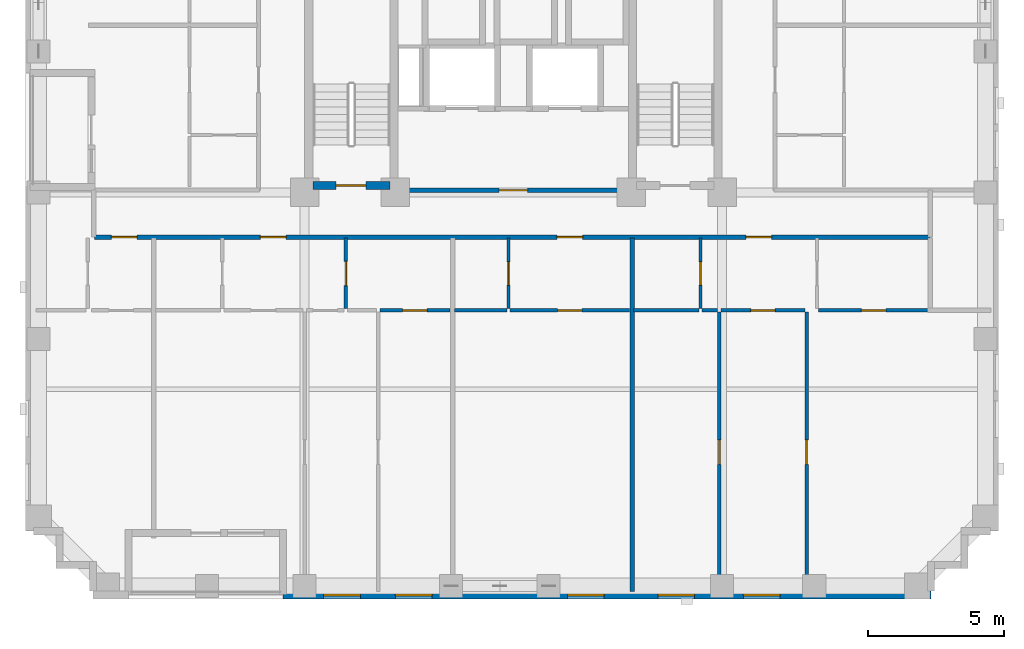
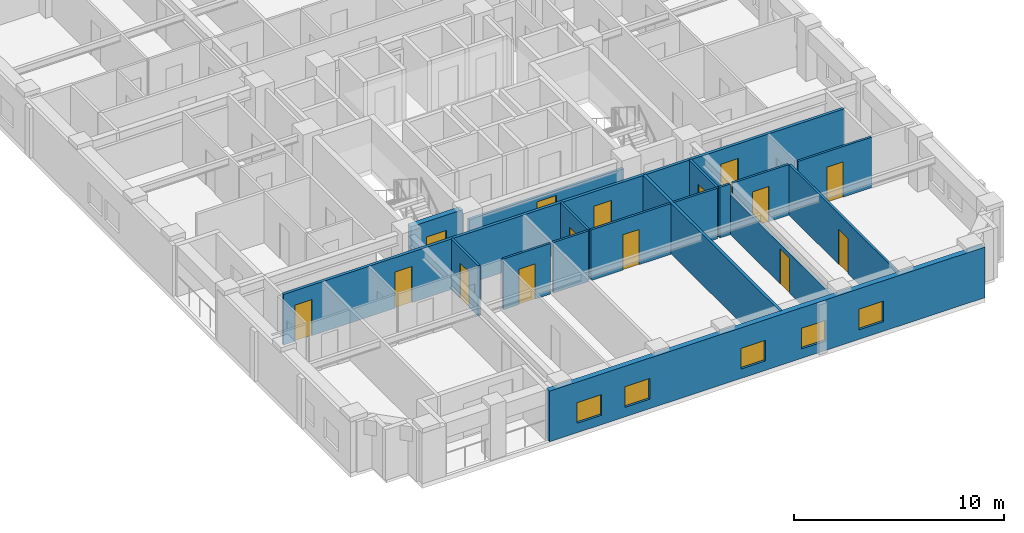
# One storey, part 3 of 12: 17 walls, 15 doors, 5 windows, 20 openings.
"""IFC4 building model written with IfcOpenShell, lengths in metres."""

from ifc_helpers import new_model, si_unit, derived_unit, direction, frame, frame_2d, origin, place, context, subcontext, project, spatial, rectangle, extrude, material, layer, layer_set, type_object, element, fill, save


model = new_model("IFC4")

# Units and contexts
model_context = context("Model", 3, precision=1e-05, world=origin(), true_north=direction((0.0, 1.0)))
body_context = subcontext(model_context, "Body", "Model", "MODEL_VIEW")
ifc_project = project(units=[si_unit("LENGTHUNIT", "METRE"), si_unit("AREAUNIT", "SQUARE_METRE"), si_unit("VOLUMEUNIT", "CUBIC_METRE"), si_unit("PLANEANGLEUNIT", "RADIAN"), si_unit("MASSUNIT", "GRAM", prefix="KILO"), derived_unit("THERMALTRANSMITTANCEUNIT", [(si_unit("MASSUNIT", "GRAM", prefix="KILO"), 1), (si_unit("TIMEUNIT", "SECOND"), -3), (si_unit("THERMODYNAMICTEMPERATUREUNIT", "KELVIN"), -1)])], contexts=[model_context])

# Site, building, storey
site_placement = place(None, origin())
site = spatial("IfcSite", under=ifc_project, at=site_placement, CompositionType="ELEMENT")
building_placement = place(site_placement, origin())
building = spatial("IfcBuilding", under=site, at=building_placement, Name="Korrvale Station Residences", CompositionType="ELEMENT")
storey_placement = place(building_placement, frame((0.0, 0.0, 91.10009765625)))
storey = spatial("IfcBuildingStorey", under=building, at=storey_placement, Name="L25", CompositionType="ELEMENT", Elevation=91.10009765625)

# Wall, opening, door
ifc_material_1 = material(Name="Concrete C60/75", Category="concrete")
ifc_layer_1 = layer(ifc_material_1, 0.300048828125, Name="Concrete C60/75")
ifc_layer_set_1 = layer_set([ifc_layer_1], Name="Concrete C60/75")
wall_type_1 = type_object("IfcWallType", Name="WAL-CORE-300-C60", PredefinedType="SHEAR", material=ifc_layer_set_1)
wall_1_placement = place(storey_placement, frame((18.10009765625, 15.25, 0.0), z_axis=(0.0, 0.0, 1.0), x_axis=(1.0, 0.0, 0.0)))
wall_1 = element("IfcWall", 1, at=wall_1_placement, inside=storey, type_object=wall_type_1, Name="L25 ST-1 Core Shear Wall South", PredefinedType="SHEAR", context=body_context, shape_type="SweptSolid", body=[
    extrude(rectangle(XDim=2.849853515625, YDim=0.300048828125, at=frame_2d((1.4248046875, 0.0))), origin(), (0.0, 0.0, 1.0), 2.93994140625),
])
opening_1_placement = place(wall_1_placement, frame((0.860107421875, 0.0, 0.0)))
opening_1 = element("IfcOpeningElement", 2, at=opening_1_placement, cuts=wall_1, Name="Opening SD-1100", PredefinedType="OPENING", context=body_context, shape_type="SweptSolid", body=[
    extrude(rectangle(XDim=1.10009765625, YDim=2.050048828125, at=frame_2d((0.550048828125, 1.02490234375))), frame((0.0, 0.16015625, 0.0), z_axis=(0.0, -1.0, 0.0), x_axis=(1.0, 0.0, 0.0)), (0.0, 0.0, 1.0), 0.320068359375),
])
ifc_material_2 = material(Name="Hollow-metal fire-rated stair door with closer", Category="steel")
door_type_1 = type_object("IfcDoorType", Name="DR-STAIR-1100", OperationType="NOTDEFINED", PredefinedType="DOOR", material=ifc_material_2)
door_1_placement = place(opening_1_placement, origin())
door_1 = element("IfcDoor", 3, at=door_1_placement, inside=storey, type_object=door_type_1, Name="L25 ST-1 Exit Stair Door", OperationType="SINGLE_SWING_LEFT", OverallHeight=2.050048828125, OverallWidth=1.10009765625, PredefinedType="DOOR", context=body_context, shape_type="SweptSolid", body=[
    extrude(rectangle(XDim=1.10009765625, YDim=2.050048828125, at=frame_2d((0.550048828125, 1.02490234375))), frame((0.0, 0.02490234375, 0.0), z_axis=(0.0, -1.0, 0.0), x_axis=(1.0, 0.0, 0.0)), (0.0, 0.0, 1.0), 0.050048828125),
])
fill(opening_1, door_1)

# Wall, openings, windows
ifc_material_3 = material(Name="Precast concrete C45/55", Category="concrete")
ifc_layer_2 = layer(ifc_material_3, 0.300048828125, Name="Precast concrete C45/55")
ifc_layer_set_2 = layer_set([ifc_layer_2], Name="Precast concrete C45/55")
wall_type_2 = type_object("IfcWallType", Name="WAL-EXT-PC300", PredefinedType="SOLIDWALL", material=ifc_layer_set_2)
wall_2_placement = place(storey_placement, frame((40.89990234375, 0.14990234375, 0.0), z_axis=(0.0, 0.0, 1.0), x_axis=(-1.0, 0.0, 0.0)))
wall_2 = element("IfcWall", 4, at=wall_2_placement, inside=storey, type_object=wall_type_2, Name="L25 South Exterior Precast Wall 1", PredefinedType="SOLIDWALL", context=body_context, shape_type="SweptSolid", body=[
    extrude(rectangle(XDim=23.89990234375, YDim=0.300048828125, at=frame_2d((11.949951171875, 0.0))), origin(), (0.0, 0.0, 1.0), 2.93994140625),
])
opening_2_placement = place(wall_2_placement, frame((21.044921875, 0.0, 0.550048828125)))
opening_2 = element("IfcOpeningElement", 5, at=opening_2_placement, cuts=wall_2, Name="Opening W-10", PredefinedType="OPENING", context=body_context, shape_type="SweptSolid", body=[
    extrude(rectangle(XDim=1.35009765625, YDim=1.199951171875, at=frame_2d((0.675048828125, 0.60009765625))), frame((0.0, 0.16015625, 0.0), z_axis=(0.0, -1.0, 0.0), x_axis=(1.0, 0.0, 0.0)), (0.0, 0.0, 1.0), 0.320068359375),
])
opening_3_placement = place(wall_2_placement, frame((18.39990234375, 0.0, 0.550048828125)))
opening_3 = element("IfcOpeningElement", 6, at=opening_3_placement, cuts=wall_2, Name="Opening W-10", PredefinedType="OPENING", context=body_context, shape_type="SweptSolid", body=[
    extrude(rectangle(XDim=1.35009765625, YDim=1.199951171875, at=frame_2d((0.675048828125, 0.60009765625))), frame((0.0, 0.16015625, 0.0), z_axis=(0.0, -1.0, 0.0), x_axis=(1.0, 0.0, 0.0)), (0.0, 0.0, 1.0), 0.320068359375),
])
opening_4_placement = place(wall_2_placement, frame((12.050048828125, 0.0, 0.550048828125)))
opening_4 = element("IfcOpeningElement", 7, at=opening_4_placement, cuts=wall_2, Name="Opening W-10", PredefinedType="OPENING", context=body_context, shape_type="SweptSolid", body=[
    extrude(rectangle(XDim=1.35009765625, YDim=1.199951171875, at=frame_2d((0.675048828125, 0.60009765625))), frame((0.0, 0.16015625, 0.0), z_axis=(0.0, -1.0, 0.0), x_axis=(1.0, 0.0, 0.0)), (0.0, 0.0, 1.0), 0.320068359375),
])
opening_5_placement = place(wall_2_placement, frame((8.719970703125, 0.0, 0.550048828125)))
opening_5 = element("IfcOpeningElement", 8, at=opening_5_placement, cuts=wall_2, Name="Opening W-10", PredefinedType="OPENING", context=body_context, shape_type="SweptSolid", body=[
    extrude(rectangle(XDim=1.35009765625, YDim=1.199951171875, at=frame_2d((0.675048828125, 0.60009765625))), frame((0.0, 0.16015625, 0.0), z_axis=(0.0, -1.0, 0.0), x_axis=(1.0, 0.0, 0.0)), (0.0, 0.0, 1.0), 0.320068359375),
])
opening_6_placement = place(wall_2_placement, frame((5.56298828125, 0.0, 0.550048828125)))
opening_6 = element("IfcOpeningElement", 9, at=opening_6_placement, cuts=wall_2, Name="Opening W-10", PredefinedType="OPENING", context=body_context, shape_type="SweptSolid", body=[
    extrude(rectangle(XDim=1.35009765625, YDim=1.199951171875, at=frame_2d((0.675048828125, 0.60009765625))), frame((0.0, 0.16015625, 0.0), z_axis=(0.0, -1.0, 0.0), x_axis=(1.0, 0.0, 0.0)), (0.0, 0.0, 1.0), 0.320068359375),
])
ifc_material_4 = material(Name="Thermally broken aluminium frame with triple low-e glazing", Category="aluminium")
window_type = type_object("IfcWindowType", Name="WIN-W10", PartitioningType="SINGLE_PANEL", PredefinedType="WINDOW", material=ifc_material_4)
window_1_placement = place(opening_2_placement, origin())
window_1 = element("IfcWindow", 10, at=window_1_placement, inside=storey, type_object=window_type, Name="L25 Punched Window 04", OverallHeight=1.199951171875, OverallWidth=1.35009765625, PartitioningType="SINGLE_PANEL", PredefinedType="WINDOW", context=body_context, shape_type="SweptSolid", body=[
    extrude(rectangle(XDim=1.35009765625, YDim=1.199951171875, at=frame_2d((0.675048828125, 0.60009765625))), frame((0.0, 0.030029296875, 0.0), z_axis=(0.0, -1.0, 0.0), x_axis=(1.0, 0.0, 0.0)), (0.0, 0.0, 1.0), 0.06005859375),
])
fill(opening_2, window_1)
window_2_placement = place(opening_3_placement, origin())
window_2 = element("IfcWindow", 11, at=window_2_placement, inside=storey, type_object=window_type, Name="L25 Punched Window 05", OverallHeight=1.199951171875, OverallWidth=1.35009765625, PartitioningType="SINGLE_PANEL", PredefinedType="WINDOW", context=body_context, shape_type="SweptSolid", body=[
    extrude(rectangle(XDim=1.35009765625, YDim=1.199951171875, at=frame_2d((0.675048828125, 0.60009765625))), frame((0.0, 0.030029296875, 0.0), z_axis=(0.0, -1.0, 0.0), x_axis=(1.0, 0.0, 0.0)), (0.0, 0.0, 1.0), 0.06005859375),
])
fill(opening_3, window_2)
window_3_placement = place(opening_4_placement, origin())
window_3 = element("IfcWindow", 12, at=window_3_placement, inside=storey, type_object=window_type, Name="L25 Punched Window 06", OverallHeight=1.199951171875, OverallWidth=1.35009765625, PartitioningType="SINGLE_PANEL", PredefinedType="WINDOW", context=body_context, shape_type="SweptSolid", body=[
    extrude(rectangle(XDim=1.35009765625, YDim=1.199951171875, at=frame_2d((0.675048828125, 0.60009765625))), frame((0.0, 0.030029296875, 0.0), z_axis=(0.0, -1.0, 0.0), x_axis=(1.0, 0.0, 0.0)), (0.0, 0.0, 1.0), 0.06005859375),
])
fill(opening_4, window_3)
window_4_placement = place(opening_5_placement, origin())
window_4 = element("IfcWindow", 13, at=window_4_placement, inside=storey, type_object=window_type, Name="L25 Punched Window 07", OverallHeight=1.199951171875, OverallWidth=1.35009765625, PartitioningType="SINGLE_PANEL", PredefinedType="WINDOW", context=body_context, shape_type="SweptSolid", body=[
    extrude(rectangle(XDim=1.35009765625, YDim=1.199951171875, at=frame_2d((0.675048828125, 0.60009765625))), frame((0.0, 0.030029296875, 0.0), z_axis=(0.0, -1.0, 0.0), x_axis=(1.0, 0.0, 0.0)), (0.0, 0.0, 1.0), 0.06005859375),
])
fill(opening_5, window_4)
window_5_placement = place(opening_6_placement, origin())
window_5 = element("IfcWindow", 14, at=window_5_placement, inside=storey, type_object=window_type, Name="L25 Punched Window 08", OverallHeight=1.199951171875, OverallWidth=1.35009765625, PartitioningType="SINGLE_PANEL", PredefinedType="WINDOW", context=body_context, shape_type="SweptSolid", body=[
    extrude(rectangle(XDim=1.35009765625, YDim=1.199951171875, at=frame_2d((0.675048828125, 0.60009765625))), frame((0.0, 0.030029296875, 0.0), z_axis=(0.0, -1.0, 0.0), x_axis=(1.0, 0.0, 0.0)), (0.0, 0.0, 1.0), 0.06005859375),
])
fill(opening_6, window_5)

# Wall, opening, door
ifc_material_5 = material(Name="Acoustic steel-stud gypsum board partition", Category="steel")
ifc_layer_3 = layer(ifc_material_5, 0.1201171875, Name="Acoustic steel-stud gypsum board partition")
ifc_layer_set_3 = layer_set([ifc_layer_3], Name="Acoustic steel-stud gypsum board partition")
wall_type_3 = type_object("IfcWallType", Name="WAL-PART-125", PredefinedType="PARTITIONING", material=ifc_layer_set_3)
wall_3_placement = place(storey_placement, frame((19.320068359375, 10.7099609375, 0.0), z_axis=(0.0, 0.0, 1.0), x_axis=(0.0, 1.0, 0.0)))
wall_3 = element("IfcWall", 15, at=wall_3_placement, inside=storey, type_object=wall_type_3, Name="L25 Suite Partition U02-V12", PredefinedType="PARTITIONING", context=body_context, shape_type="SweptSolid", body=[
    extrude(rectangle(XDim=2.60009765625, YDim=0.1201171875, at=frame_2d((1.300048828125, 0.0))), origin(), (0.0, 0.0, 1.0), 2.93994140625),
])
opening_7_placement = place(wall_3_placement, frame((0.85009765625, 0.0, 0.0)))
opening_7 = element("IfcOpeningElement", 16, at=opening_7_placement, cuts=wall_3, Name="Opening DI-900", PredefinedType="OPENING", context=body_context, shape_type="SweptSolid", body=[
    extrude(rectangle(XDim=0.89990234375, YDim=2.050048828125, at=frame_2d((0.449951171875, 1.02490234375))), frame((0.0, 0.070068359375, 0.0), z_axis=(0.0, -1.0, 0.0), x_axis=(1.0, 0.0, 0.0)), (0.0, 0.0, 1.0), 0.14013671875),
])
ifc_material_6 = material(Name="Painted solid-core timber interior room door", Category="wood")
door_type_2 = type_object("IfcDoorType", Name="DR-INT-900", OperationType="NOTDEFINED", PredefinedType="DOOR", material=ifc_material_6)
door_2_placement = place(opening_7_placement, origin())
door_2 = element("IfcDoor", 17, at=door_2_placement, inside=storey, type_object=door_type_2, Name="L25 Apartment 2BR L25-U02 Kitchen Door", OperationType="SINGLE_SWING_LEFT", OverallHeight=2.050048828125, OverallWidth=0.89990234375, PredefinedType="DOOR", context=body_context, shape_type="SweptSolid", body=[
    extrude(rectangle(XDim=0.89990234375, YDim=2.050048828125, at=frame_2d((0.449951171875, 1.02490234375))), frame((0.0, 0.02490234375, 0.0), z_axis=(0.0, -1.0, 0.0), x_axis=(1.0, 0.0, 0.0)), (0.0, 0.0, 1.0), 0.050048828125),
])
fill(opening_7, door_2)

wall_4_placement = place(storey_placement, frame((20.572998046875, 10.64990234375, 0.0), z_axis=(0.0, 0.0, 1.0), x_axis=(1.0, 0.0, 0.0)))
wall_4 = element("IfcWall", 18, at=wall_4_placement, inside=storey, type_object=wall_type_3, Name="L25 Suite Partition U02-H25", PredefinedType="PARTITIONING", context=body_context, shape_type="SweptSolid", body=[
    extrude(rectangle(XDim=2.592041015625, YDim=0.1201171875, at=frame_2d((1.2958984375, 0.0))), origin(), (0.0, 0.0, 1.0), 2.93994140625),
])
opening_8_placement = place(wall_4_placement, frame((0.845947265625, 0.0, 0.0)))
opening_8 = element("IfcOpeningElement", 19, at=opening_8_placement, cuts=wall_4, Name="Opening DI-900", PredefinedType="OPENING", context=body_context, shape_type="SweptSolid", body=[
    extrude(rectangle(XDim=0.89990234375, YDim=2.050048828125, at=frame_2d((0.449951171875, 1.02490234375))), frame((0.0, 0.070068359375, 0.0), z_axis=(0.0, -1.0, 0.0), x_axis=(1.0, 0.0, 0.0)), (0.0, 0.0, 1.0), 0.14013671875),
])
door_3_placement = place(opening_8_placement, origin())
door_3 = element("IfcDoor", 20, at=door_3_placement, inside=storey, type_object=door_type_2, Name="L25 Apartment 2BR L25-U02 Home Study Room Door", OperationType="SINGLE_SWING_RIGHT", OverallHeight=2.050048828125, OverallWidth=0.89990234375, PredefinedType="DOOR", context=body_context, shape_type="SweptSolid", body=[
    extrude(rectangle(XDim=0.89990234375, YDim=2.050048828125, at=frame_2d((0.449951171875, 1.02490234375))), frame((0.0, 0.02490234375, 0.0), z_axis=(0.0, -1.0, 0.0), x_axis=(1.0, 0.0, 0.0)), (0.0, 0.0, 1.0), 0.050048828125),
])
fill(opening_8, door_3)

wall_5_placement = place(storey_placement, frame((25.322021484375, 10.7099609375, 0.0), z_axis=(0.0, 0.0, 1.0), x_axis=(0.0, 1.0, 0.0)))
wall_5 = element("IfcWall", 21, at=wall_5_placement, inside=storey, type_object=wall_type_3, Name="L25 Suite Partition U03-V01", PredefinedType="PARTITIONING", context=body_context, shape_type="SweptSolid", body=[
    extrude(rectangle(XDim=2.60009765625, YDim=0.1201171875, at=frame_2d((1.300048828125, 0.0))), origin(), (0.0, 0.0, 1.0), 2.93994140625),
])
opening_9_placement = place(wall_5_placement, frame((0.8701171875, 0.0, 0.0)))
opening_9 = element("IfcOpeningElement", 22, at=opening_9_placement, cuts=wall_5, Name="Opening DB-860", PredefinedType="OPENING", context=body_context, shape_type="SweptSolid", body=[
    extrude(rectangle(XDim=0.860107421875, YDim=2.050048828125, at=frame_2d((0.43017578125, 1.02490234375))), frame((0.0, 0.070068359375, 0.0), z_axis=(0.0, -1.0, 0.0), x_axis=(1.0, 0.0, 0.0)), (0.0, 0.0, 1.0), 0.14013671875),
])
ifc_material_7 = material(Name="Moisture-resistant solid-core bathroom door", Category="timber")
door_type_3 = type_object("IfcDoorType", Name="DR-BATH-860", OperationType="NOTDEFINED", PredefinedType="DOOR", material=ifc_material_7)
door_4_placement = place(opening_9_placement, origin())
door_4 = element("IfcDoor", 23, at=door_4_placement, inside=storey, type_object=door_type_3, Name="L25 Studio Apartment L25-U03 Bathroom Door", OperationType="SINGLE_SWING_LEFT", OverallHeight=2.050048828125, OverallWidth=0.860107421875, PredefinedType="DOOR", context=body_context, shape_type="SweptSolid", body=[
    extrude(rectangle(XDim=0.860107421875, YDim=2.050048828125, at=frame_2d((0.43017578125, 1.02490234375))), frame((0.0, 0.02490234375, 0.0), z_axis=(0.0, -1.0, 0.0), x_axis=(1.0, 0.0, 0.0)), (0.0, 0.0, 1.0), 0.050048828125),
])
fill(opening_9, door_4)

# Wall
wall_6_placement = place(storey_placement, frame((23.324951171875, 10.64990234375, 0.0), z_axis=(0.0, 0.0, 1.0), x_axis=(1.0, 0.0, 0.0)))
element("IfcWall", 24, at=wall_6_placement, inside=storey, type_object=wall_type_3, Name="L25 Suite Partition U03-H02", PredefinedType="PARTITIONING", context=body_context, shape_type="SweptSolid", body=[
    extrude(rectangle(XDim=1.93701171875, YDim=0.1201171875, at=frame_2d((0.968505859375, 0.0))), origin(), (0.0, 0.0, 1.0), 2.93994140625),
])

# Wall, opening, door
wall_7_placement = place(storey_placement, frame((25.382080078125, 10.64990234375, 0.0), z_axis=(0.0, 0.0, 1.0), x_axis=(1.0, 0.0, 0.0)))
wall_7 = element("IfcWall", 25, at=wall_7_placement, inside=storey, type_object=wall_type_3, Name="L25 Suite Partition U03-H12", PredefinedType="PARTITIONING", context=body_context, shape_type="SweptSolid", body=[
    extrude(rectangle(XDim=4.39794921875, YDim=0.1201171875, at=frame_2d((2.198974609375, 0.0))), origin(), (0.0, 0.0, 1.0), 2.93994140625),
])
opening_10_placement = place(wall_7_placement, frame((1.7490234375, 0.0, 0.0)))
opening_10 = element("IfcOpeningElement", 26, at=opening_10_placement, cuts=wall_7, Name="Opening DI-900", PredefinedType="OPENING", context=body_context, shape_type="SweptSolid", body=[
    extrude(rectangle(XDim=0.89990234375, YDim=2.050048828125, at=frame_2d((0.449951171875, 1.02490234375))), frame((0.0, 0.070068359375, 0.0), z_axis=(0.0, -1.0, 0.0), x_axis=(1.0, 0.0, 0.0)), (0.0, 0.0, 1.0), 0.14013671875),
])
door_5_placement = place(opening_10_placement, origin())
door_5 = element("IfcDoor", 27, at=door_5_placement, inside=storey, type_object=door_type_2, Name="L25 Studio Apartment L25-U03 Kitchen Door", OperationType="SINGLE_SWING_RIGHT", OverallHeight=2.050048828125, OverallWidth=0.89990234375, PredefinedType="DOOR", context=body_context, shape_type="SweptSolid", body=[
    extrude(rectangle(XDim=0.89990234375, YDim=2.050048828125, at=frame_2d((0.449951171875, 1.02490234375))), frame((0.0, 0.02490234375, 0.0), z_axis=(0.0, -1.0, 0.0), x_axis=(1.0, 0.0, 0.0)), (0.0, 0.0, 1.0), 0.050048828125),
])
fill(opening_10, door_5)

wall_8_placement = place(storey_placement, frame((32.39990234375, 10.7099609375, 0.0), z_axis=(0.0, 0.0, 1.0), x_axis=(0.0, 1.0, 0.0)))
wall_8 = element("IfcWall", 28, at=wall_8_placement, inside=storey, type_object=wall_type_3, Name="L25 Suite Partition U04-V01", PredefinedType="PARTITIONING", context=body_context, shape_type="SweptSolid", body=[
    extrude(rectangle(XDim=2.60009765625, YDim=0.1201171875, at=frame_2d((1.300048828125, 0.0))), origin(), (0.0, 0.0, 1.0), 2.93994140625),
])
opening_11_placement = place(wall_8_placement, frame((0.8701171875, 0.0, 0.0)))
opening_11 = element("IfcOpeningElement", 29, at=opening_11_placement, cuts=wall_8, Name="Opening DB-860", PredefinedType="OPENING", context=body_context, shape_type="SweptSolid", body=[
    extrude(rectangle(XDim=0.860107421875, YDim=2.050048828125, at=frame_2d((0.43017578125, 1.02490234375))), frame((0.0, 0.070068359375, 0.0), z_axis=(0.0, -1.0, 0.0), x_axis=(1.0, 0.0, 0.0)), (0.0, 0.0, 1.0), 0.14013671875),
])
door_6_placement = place(opening_11_placement, origin())
door_6 = element("IfcDoor", 30, at=door_6_placement, inside=storey, type_object=door_type_3, Name="L25 Studio Apartment L25-U04 Bathroom Door", OperationType="SINGLE_SWING_LEFT", OverallHeight=2.050048828125, OverallWidth=0.860107421875, PredefinedType="DOOR", context=body_context, shape_type="SweptSolid", body=[
    extrude(rectangle(XDim=0.860107421875, YDim=2.050048828125, at=frame_2d((0.43017578125, 1.02490234375))), frame((0.0, 0.02490234375, 0.0), z_axis=(0.0, -1.0, 0.0), x_axis=(1.0, 0.0, 0.0)), (0.0, 0.0, 1.0), 0.050048828125),
])
fill(opening_11, door_6)

# Walls
wall_9_placement = place(storey_placement, frame((29.93994140625, 10.64990234375, 0.0), z_axis=(0.0, 0.0, 1.0), x_axis=(1.0, 0.0, 0.0)))
element("IfcWall", 31, at=wall_9_placement, inside=storey, type_object=wall_type_3, Name="L25 Suite Partition U04-H03", PredefinedType="PARTITIONING", context=body_context, shape_type="SweptSolid", body=[
    extrude(rectangle(XDim=2.400146484375, YDim=0.1201171875, at=frame_2d((1.2001953125, 0.0))), origin(), (0.0, 0.0, 1.0), 2.93994140625),
])
wall_10_placement = place(storey_placement, frame((32.4599609375, 10.64990234375, 0.0), z_axis=(0.0, 0.0, 1.0), x_axis=(1.0, 0.0, 0.0)))
element("IfcWall", 32, at=wall_10_placement, inside=storey, type_object=wall_type_3, Name="L25 Suite Partition U04-H13", PredefinedType="PARTITIONING", context=body_context, shape_type="SweptSolid", body=[
    extrude(rectangle(XDim=0.580078125, YDim=0.1201171875, at=frame_2d((0.2900390625, 0.0))), origin(), (0.0, 0.0, 1.0), 2.93994140625),
])

# Wall, opening, door
wall_11_placement = place(storey_placement, frame((33.159912109375, 10.64990234375, 0.0), z_axis=(0.0, 0.0, 1.0), x_axis=(1.0, 0.0, 0.0)))
wall_11 = element("IfcWall", 33, at=wall_11_placement, inside=storey, type_object=wall_type_3, Name="L25 Suite Partition U04-H14", PredefinedType="PARTITIONING", context=body_context, shape_type="SweptSolid", body=[
    extrude(rectangle(XDim=3.10009765625, YDim=0.1201171875, at=frame_2d((1.550048828125, 0.0))), origin(), (0.0, 0.0, 1.0), 2.93994140625),
])
opening_12_placement = place(wall_11_placement, frame((1.10009765625, 0.0, 0.0)))
opening_12 = element("IfcOpeningElement", 34, at=opening_12_placement, cuts=wall_11, Name="Opening DI-900", PredefinedType="OPENING", context=body_context, shape_type="SweptSolid", body=[
    extrude(rectangle(XDim=0.89990234375, YDim=2.050048828125, at=frame_2d((0.449951171875, 1.02490234375))), frame((0.0, 0.070068359375, 0.0), z_axis=(0.0, -1.0, 0.0), x_axis=(1.0, 0.0, 0.0)), (0.0, 0.0, 1.0), 0.14013671875),
])
door_7_placement = place(opening_12_placement, origin())
door_7 = element("IfcDoor", 35, at=door_7_placement, inside=storey, type_object=door_type_2, Name="L25 Studio Apartment L25-U04 Kitchen Door", OperationType="SINGLE_SWING_LEFT", OverallHeight=2.050048828125, OverallWidth=0.89990234375, PredefinedType="DOOR", context=body_context, shape_type="SweptSolid", body=[
    extrude(rectangle(XDim=0.89990234375, YDim=2.050048828125, at=frame_2d((0.449951171875, 1.02490234375))), frame((0.0, 0.02490234375, 0.0), z_axis=(0.0, -1.0, 0.0), x_axis=(1.0, 0.0, 0.0)), (0.0, 0.0, 1.0), 0.050048828125),
])
fill(opening_12, door_7)

wall_12_placement = place(storey_placement, frame((36.760009765625, 10.64990234375, 0.0), z_axis=(0.0, 0.0, 1.0), x_axis=(1.0, 0.0, 0.0)))
wall_12 = element("IfcWall", 36, at=wall_12_placement, inside=storey, type_object=wall_type_3, Name="L25 Suite Partition U04-H25", PredefinedType="PARTITIONING", context=body_context, shape_type="SweptSolid", body=[
    extrude(rectangle(XDim=4.06005859375, YDim=0.1201171875, at=frame_2d((2.030029296875, 0.0))), origin(), (0.0, 0.0, 1.0), 2.93994140625),
])
opening_13_placement = place(wall_12_placement, frame((1.580078125, 0.0, 0.0)))
opening_13 = element("IfcOpeningElement", 37, at=opening_13_placement, cuts=wall_12, Name="Opening DI-900", PredefinedType="OPENING", context=body_context, shape_type="SweptSolid", body=[
    extrude(rectangle(XDim=0.89990234375, YDim=2.050048828125, at=frame_2d((0.449951171875, 1.02490234375))), frame((0.0, 0.070068359375, 0.0), z_axis=(0.0, -1.0, 0.0), x_axis=(1.0, 0.0, 0.0)), (0.0, 0.0, 1.0), 0.14013671875),
])
door_8_placement = place(opening_13_placement, origin())
door_8 = element("IfcDoor", 38, at=door_8_placement, inside=storey, type_object=door_type_2, Name="L25 Studio Apartment L25-U04 Home Study Room Door", OperationType="SINGLE_SWING_RIGHT", OverallHeight=2.050048828125, OverallWidth=0.89990234375, PredefinedType="DOOR", context=body_context, shape_type="SweptSolid", body=[
    extrude(rectangle(XDim=0.89990234375, YDim=2.050048828125, at=frame_2d((0.449951171875, 1.02490234375))), frame((0.0, 0.02490234375, 0.0), z_axis=(0.0, -1.0, 0.0), x_axis=(1.0, 0.0, 0.0)), (0.0, 0.0, 1.0), 0.050048828125),
])
fill(opening_13, door_8)

wall_13_placement = place(storey_placement, frame((33.10009765625, 0.280029296875, 0.0), z_axis=(0.0, 0.0, 1.0), x_axis=(0.0, 1.0, 0.0)))
wall_13 = element("IfcWall", 39, at=wall_13_placement, inside=storey, type_object=wall_type_3, Name="L25 Suite Partition U04-V34", PredefinedType="PARTITIONING", context=body_context, shape_type="SweptSolid", body=[
    extrude(rectangle(XDim=10.31005859375, YDim=0.1201171875, at=frame_2d((5.155029296875, 0.0))), origin(), (0.0, 0.0, 1.0), 2.308837890625),
])
opening_14_placement = place(wall_13_placement, frame((4.68994140625, 0.0, 0.0)))
opening_14 = element("IfcOpeningElement", 40, at=opening_14_placement, cuts=wall_13, Name="Opening DI-900", PredefinedType="OPENING", context=body_context, shape_type="SweptSolid", body=[
    extrude(rectangle(XDim=0.89990234375, YDim=2.050048828125, at=frame_2d((0.449951171875, 1.02490234375))), frame((0.0, 0.070068359375, 0.0), z_axis=(0.0, -1.0, 0.0), x_axis=(1.0, 0.0, 0.0)), (0.0, 0.0, 1.0), 0.14013671875),
])
door_9_placement = place(opening_14_placement, origin())
door_9 = element("IfcDoor", 41, at=door_9_placement, inside=storey, type_object=door_type_2, Name="L25 Studio Apartment L25-U04 Formal Dining Room Door", OperationType="SINGLE_SWING_LEFT", OverallHeight=2.050048828125, OverallWidth=0.89990234375, PredefinedType="DOOR", context=body_context, shape_type="SweptSolid", body=[
    extrude(rectangle(XDim=0.89990234375, YDim=2.050048828125, at=frame_2d((0.449951171875, 1.02490234375))), frame((0.0, 0.02490234375, 0.0), z_axis=(0.0, -1.0, 0.0), x_axis=(1.0, 0.0, 0.0)), (0.0, 0.0, 1.0), 0.050048828125),
])
fill(opening_14, door_9)

wall_14_placement = place(storey_placement, frame((36.320068359375, 0.280029296875, 0.0), z_axis=(0.0, 0.0, 1.0), x_axis=(0.0, 1.0, 0.0)))
wall_14 = element("IfcWall", 42, at=wall_14_placement, inside=storey, type_object=wall_type_3, Name="L25 Suite Partition U04-V45", PredefinedType="PARTITIONING", context=body_context, shape_type="SweptSolid", body=[
    extrude(rectangle(XDim=10.31005859375, YDim=0.1201171875, at=frame_2d((5.155029296875, 0.0))), origin(), (0.0, 0.0, 1.0), 2.93994140625),
])
opening_15_placement = place(wall_14_placement, frame((4.68994140625, 0.0, 0.0)))
opening_15 = element("IfcOpeningElement", 43, at=opening_15_placement, cuts=wall_14, Name="Opening DI-900", PredefinedType="OPENING", context=body_context, shape_type="SweptSolid", body=[
    extrude(rectangle(XDim=0.89990234375, YDim=2.050048828125, at=frame_2d((0.449951171875, 1.02490234375))), frame((0.0, 0.070068359375, 0.0), z_axis=(0.0, -1.0, 0.0), x_axis=(1.0, 0.0, 0.0)), (0.0, 0.0, 1.0), 0.14013671875),
])
door_10_placement = place(opening_15_placement, origin())
door_10 = element("IfcDoor", 44, at=door_10_placement, inside=storey, type_object=door_type_2, Name="L25 Studio Apartment L25-U04 Formal Dining Room Door", OperationType="SINGLE_SWING_RIGHT", OverallHeight=2.050048828125, OverallWidth=0.89990234375, PredefinedType="DOOR", context=body_context, shape_type="SweptSolid", body=[
    extrude(rectangle(XDim=0.89990234375, YDim=2.050048828125, at=frame_2d((0.449951171875, 1.02490234375))), frame((0.0, 0.02490234375, 0.0), z_axis=(0.0, -1.0, 0.0), x_axis=(1.0, 0.0, 0.0)), (0.0, 0.0, 1.0), 0.050048828125),
])
fill(opening_15, door_10)

ifc_material_8 = material(Name="Fire-rated twin-stud gypsum and mineral wool shaftwall assembly", Category="gypsum")
ifc_layer_4 = layer(ifc_material_8, 0.159912109375, Name="Fire-rated twin-stud gypsum and mineral wool shaftwall assembly")
ifc_layer_set_4 = layer_set([ifc_layer_4], Name="Fire-rated twin-stud gypsum and mineral wool shaftwall assembly")
wall_type_4 = type_object("IfcWallType", Name="WAL-PART-200", PredefinedType="PARTITIONING", material=ifc_layer_set_4)
wall_15_placement = place(storey_placement, frame((21.25, 15.080078125, 0.0), z_axis=(0.0, 0.0, 1.0), x_axis=(1.0, 0.0, 0.0)))
wall_15 = element("IfcWall", 45, at=wall_15_placement, inside=storey, type_object=wall_type_4, Name="L25 Core Partition CW-FFL-S", PredefinedType="PARTITIONING", context=body_context, shape_type="SweptSolid", body=[
    extrude(rectangle(XDim=8.5, YDim=0.159912109375, at=frame_2d((4.25, 0.0))), origin(), (0.0, 0.0, 1.0), 2.308837890625),
])
opening_16_placement = place(wall_15_placement, frame((3.72509765625, 0.0, 0.0)))
opening_16 = element("IfcOpeningElement", 46, at=opening_16_placement, cuts=wall_15, Name="Opening FD-1050", PredefinedType="OPENING", context=body_context, shape_type="SweptSolid", body=[
    extrude(rectangle(XDim=1.050048828125, YDim=2.050048828125, at=frame_2d((0.52490234375, 1.02490234375))), frame((0.0, 0.08984375, 0.0), z_axis=(0.0, -1.0, 0.0), x_axis=(1.0, 0.0, 0.0)), (0.0, 0.0, 1.0), 0.179931640625),
])
ifc_material_9 = material(Name="Fire-rated mineral-core timber lobby door", Category="wood")
door_type_4 = type_object("IfcDoorType", Name="DR-CORE-1050", OperationType="NOTDEFINED", PredefinedType="DOOR", material=ifc_material_9)
door_11_placement = place(opening_16_placement, origin())
door_11 = element("IfcDoor", 47, at=door_11_placement, inside=storey, type_object=door_type_4, Name="L25 Firefighting Lobby Entry Door", OperationType="SINGLE_SWING_LEFT", OverallHeight=2.050048828125, OverallWidth=1.050048828125, PredefinedType="DOOR", context=body_context, shape_type="SweptSolid", body=[
    extrude(rectangle(XDim=1.050048828125, YDim=2.050048828125, at=frame_2d((0.52490234375, 1.02490234375))), frame((0.0, 0.02490234375, 0.0), z_axis=(0.0, -1.0, 0.0), x_axis=(1.0, 0.0, 0.0)), (0.0, 0.0, 1.0), 0.050048828125),
])
fill(opening_16, door_11)

# Wall
wall_16_placement = place(storey_placement, frame((29.8798828125, 0.280029296875, 0.0), z_axis=(0.0, 0.0, 1.0), x_axis=(0.0, 1.0, 0.0)))
element("IfcWall", 48, at=wall_16_placement, inside=storey, type_object=wall_type_4, Name="L25 Demising Wall U04-W", PredefinedType="PARTITIONING", context=body_context, shape_type="SweptSolid", body=[
    extrude(rectangle(XDim=13.030029296875, YDim=0.159912109375, at=frame_2d((6.51513671875, 0.0))), origin(), (0.0, 0.0, 1.0), 2.93994140625),
])

# Wall, openings, doors
wall_17_placement = place(storey_placement, frame((10.050048828125, 13.35009765625, 0.0), z_axis=(0.0, 0.0, 1.0), x_axis=(1.0, 0.0, 0.0)))
wall_17 = element("IfcWall", 49, at=wall_17_placement, inside=storey, type_object=wall_type_4, Name="L25 Rated Corridor Wall S", PredefinedType="PARTITIONING", context=body_context, shape_type="SweptSolid", body=[
    extrude(rectangle(XDim=30.800048828125, YDim=0.159912109375, at=frame_2d((15.39990234375, 0.0))), origin(), (0.0, 0.0, 1.0), 2.93994140625),
])
opening_17_placement = place(wall_17_placement, frame((0.6201171875, 0.0, 0.0)))
opening_17 = element("IfcOpeningElement", 50, at=opening_17_placement, cuts=wall_17, Name="Opening UD-950", PredefinedType="OPENING", context=body_context, shape_type="SweptSolid", body=[
    extrude(rectangle(XDim=0.949951171875, YDim=2.10009765625, at=frame_2d((0.47509765625, 1.050048828125))), frame((0.0, 0.08984375, 0.0), z_axis=(0.0, -1.0, 0.0), x_axis=(1.0, 0.0, 0.0)), (0.0, 0.0, 1.0), 0.179931640625),
])
opening_18_placement = place(wall_17_placement, frame((6.114990234375, 0.0, 0.0)))
opening_18 = element("IfcOpeningElement", 51, at=opening_18_placement, cuts=wall_17, Name="Opening UD-950", PredefinedType="OPENING", context=body_context, shape_type="SweptSolid", body=[
    extrude(rectangle(XDim=0.949951171875, YDim=2.10009765625, at=frame_2d((0.47509765625, 1.050048828125))), frame((0.0, 0.08984375, 0.0), z_axis=(0.0, -1.0, 0.0), x_axis=(1.0, 0.0, 0.0)), (0.0, 0.0, 1.0), 0.179931640625),
])
opening_19_placement = place(wall_17_placement, frame((17.055908203125, 0.0, 0.0)))
opening_19 = element("IfcOpeningElement", 52, at=opening_19_placement, cuts=wall_17, Name="Opening UD-950", PredefinedType="OPENING", context=body_context, shape_type="SweptSolid", body=[
    extrude(rectangle(XDim=0.949951171875, YDim=2.10009765625, at=frame_2d((0.47509765625, 1.050048828125))), frame((0.0, 0.08984375, 0.0), z_axis=(0.0, -1.0, 0.0), x_axis=(1.0, 0.0, 0.0)), (0.0, 0.0, 1.0), 0.179931640625),
])
opening_20_placement = place(wall_17_placement, frame((24.02490234375, 0.0, 0.0)))
opening_20 = element("IfcOpeningElement", 53, at=opening_20_placement, cuts=wall_17, Name="Opening UD-950", PredefinedType="OPENING", context=body_context, shape_type="SweptSolid", body=[
    extrude(rectangle(XDim=0.949951171875, YDim=2.10009765625, at=frame_2d((0.47509765625, 1.050048828125))), frame((0.0, 0.08984375, 0.0), z_axis=(0.0, -1.0, 0.0), x_axis=(1.0, 0.0, 0.0)), (0.0, 0.0, 1.0), 0.179931640625),
])
ifc_material_10 = material(Name="Solid-core acoustic oak apartment entrance door", Category="timber")
door_type_5 = type_object("IfcDoorType", Name="DR-UNIT-950", OperationType="NOTDEFINED", PredefinedType="DOOR", material=ifc_material_10)
door_12_placement = place(opening_17_placement, origin())
door_12 = element("IfcDoor", 54, at=door_12_placement, inside=storey, type_object=door_type_5, Name="L25 Apartment L25-U01 Entrance Door", OperationType="SINGLE_SWING_LEFT", OverallHeight=2.10009765625, OverallWidth=0.949951171875, PredefinedType="DOOR", context=body_context, shape_type="SweptSolid", body=[
    extrude(rectangle(XDim=0.949951171875, YDim=2.10009765625, at=frame_2d((0.47509765625, 1.050048828125))), frame((0.0, 0.02490234375, 0.0), z_axis=(0.0, -1.0, 0.0), x_axis=(1.0, 0.0, 0.0)), (0.0, 0.0, 1.0), 0.050048828125),
])
fill(opening_17, door_12)
door_13_placement = place(opening_18_placement, origin())
door_13 = element("IfcDoor", 55, at=door_13_placement, inside=storey, type_object=door_type_5, Name="L25 Apartment L25-U02 Entrance Door", OperationType="SINGLE_SWING_RIGHT", OverallHeight=2.10009765625, OverallWidth=0.949951171875, PredefinedType="DOOR", context=body_context, shape_type="SweptSolid", body=[
    extrude(rectangle(XDim=0.949951171875, YDim=2.10009765625, at=frame_2d((0.47509765625, 1.050048828125))), frame((0.0, 0.02490234375, 0.0), z_axis=(0.0, -1.0, 0.0), x_axis=(1.0, 0.0, 0.0)), (0.0, 0.0, 1.0), 0.050048828125),
])
fill(opening_18, door_13)
door_14_placement = place(opening_19_placement, origin())
door_14 = element("IfcDoor", 56, at=door_14_placement, inside=storey, type_object=door_type_5, Name="L25 Apartment L25-U03 Entrance Door", OperationType="SINGLE_SWING_LEFT", OverallHeight=2.10009765625, OverallWidth=0.949951171875, PredefinedType="DOOR", context=body_context, shape_type="SweptSolid", body=[
    extrude(rectangle(XDim=0.949951171875, YDim=2.10009765625, at=frame_2d((0.47509765625, 1.050048828125))), frame((0.0, 0.02490234375, 0.0), z_axis=(0.0, -1.0, 0.0), x_axis=(1.0, 0.0, 0.0)), (0.0, 0.0, 1.0), 0.050048828125),
])
fill(opening_19, door_14)
door_15_placement = place(opening_20_placement, origin())
door_15 = element("IfcDoor", 57, at=door_15_placement, inside=storey, type_object=door_type_5, Name="L25 Apartment L25-U04 Entrance Door", OperationType="SINGLE_SWING_RIGHT", OverallHeight=2.10009765625, OverallWidth=0.949951171875, PredefinedType="DOOR", context=body_context, shape_type="SweptSolid", body=[
    extrude(rectangle(XDim=0.949951171875, YDim=2.10009765625, at=frame_2d((0.47509765625, 1.050048828125))), frame((0.0, 0.02490234375, 0.0), z_axis=(0.0, -1.0, 0.0), x_axis=(1.0, 0.0, 0.0)), (0.0, 0.0, 1.0), 0.050048828125),
])
fill(opening_20, door_15)

save(model, "model.ifc")
